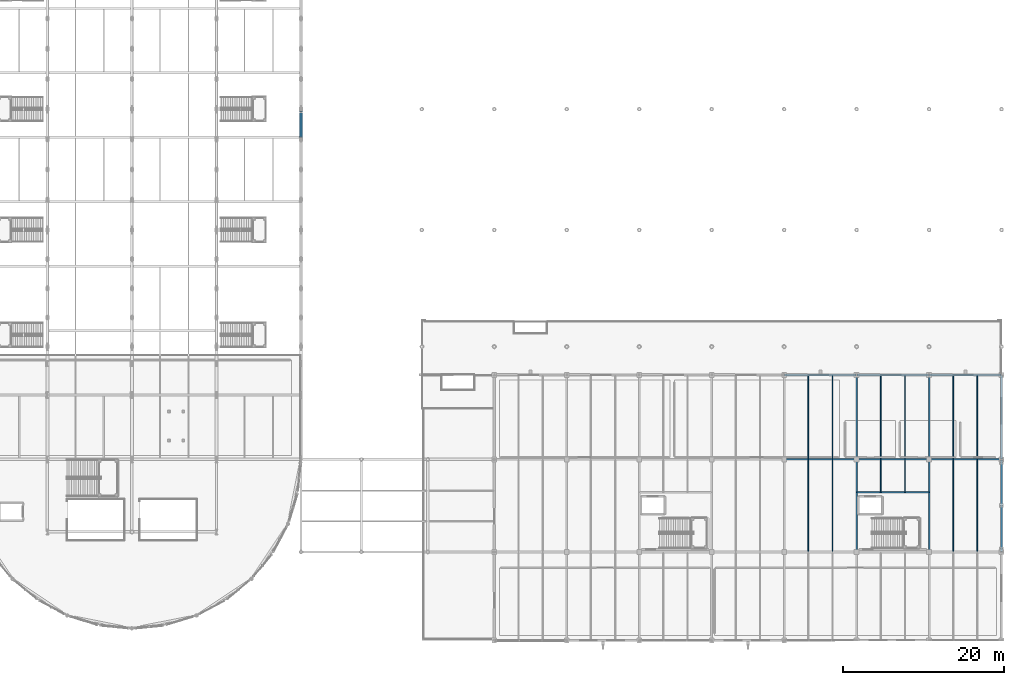
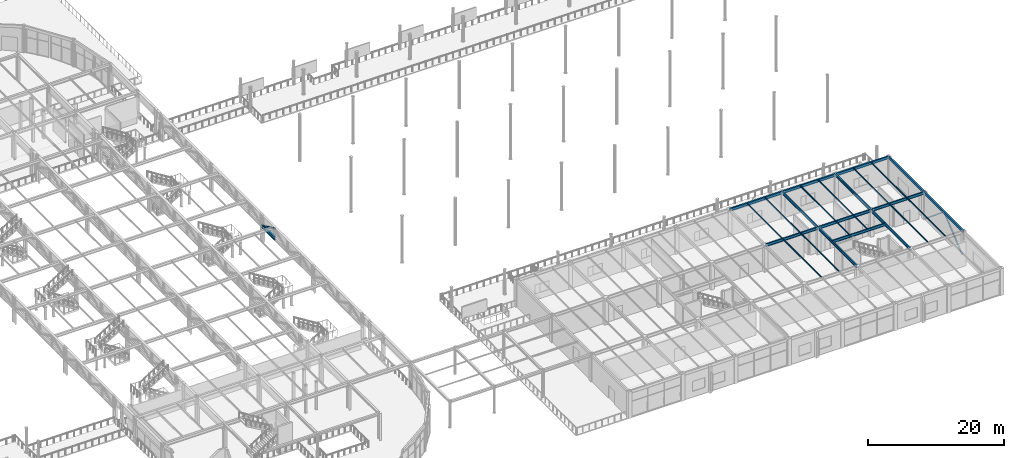
# One storey, part 63 of 143: 25 beams, 4 members.
"""IFC4 building model written with IfcOpenShell, lengths in metres."""

from ifc_helpers import new_model, si_unit, direction, frame, origin, origin_2d, place, context, subcontext, project, spatial, hollow_rectangle, hollow_circle, i_section, extrude, material, material_profile, profile_set, type_object, element, save


model = new_model("IFC4")

# Units and contexts
model_context = context("Model", 3, precision=1e-05, world=origin(), true_north=direction((0.0, 1.0)))
body_context = subcontext(model_context, "Body", "Model", "MODEL_VIEW")
ifc_project = project(units=[si_unit("LENGTHUNIT", "METRE"), si_unit("AREAUNIT", "SQUARE_METRE"), si_unit("VOLUMEUNIT", "CUBIC_METRE"), si_unit("PLANEANGLEUNIT", "RADIAN"), si_unit("MASSUNIT", "GRAM", prefix="KILO")], contexts=[model_context])

# Site, building, storey
site_placement = place(None, origin())
site = spatial("IfcSite", under=ifc_project, at=site_placement, CompositionType="ELEMENT")
building_placement = place(site_placement, origin())
building = spatial("IfcBuilding", under=site, at=building_placement, Name="Marlcrest Central Station", CompositionType="ELEMENT")
storey_placement = place(building_placement, frame((0.0, 0.0, 4.800048828125)))
storey = spatial("IfcBuildingStorey", under=building, at=storey_placement, Name="L01", CompositionType="ELEMENT", Elevation=4.800048828125)

# Members
ifc_material = material(Name="Steel S355", Category="steel")
ifc_material_profile_1 = material_profile(ifc_material, hollow_rectangle(XDim=0.199951171875, YDim=0.199951171875, WallThickness=0.010009765625, at=origin_2d()), Name="SHS 200x200x10")
ifc_profile_set_1 = profile_set([ifc_material_profile_1], Name="Steel S355")
member_type_1 = type_object("IfcMemberType", Name="BF-01", PredefinedType="BRACE", material=ifc_profile_set_1)
for number, where, z_axis, x_axis, name in (
    (1, (216.0, 11.39990234375, 0.199951171875), (0.0, 0.77128774854, 0.636486613333), (-1.0, 0.0, 0.0), "mem-BF-01-L01-00015"),
    (2, (216.0, 22.10009765625, 0.199951171875), (0.0, -0.77128774854, 0.636486613333), (1.0, 0.0, 0.0), "mem-BF-01-L01-00016"),
):
    element("IfcMember", number, at=place(storey_placement, frame(where, z_axis=z_axis, x_axis=x_axis)), inside=storey, type_object=member_type_1, Name=name, PredefinedType="BRACE", context=body_context, shape_type="SweptSolid", body=[
        extrude(hollow_rectangle(XDim=0.199951171875, YDim=0.199951171875, WallThickness=0.010009765625, at=origin_2d()), origin(), (0.0, 0.0, 1.0), 6.9365234375),
    ])

# Beams
ifc_material_profile_2 = material_profile(ifc_material, i_section(OverallWidth=0.199951171875, OverallDepth=0.5, WebThickness=0.01025390625, FlangeThickness=0.01611328125, FilletRadius=0.02099609375, at=origin_2d()), Name="IPE 500")
ifc_profile_set_2 = profile_set([ifc_material_profile_2], Name="Steel S355")
beam_type_1 = type_object("IfcBeamType", Name="BM-05", PredefinedType="BEAM", material=ifc_profile_set_2)
for number, where, z_axis, x_axis, name in (
    (3, (189.06005859375, 22.5, 4.56494140625), (1.0, 0.0, 0.0), (0.0, 1.0, 0.0), "bm-BM-05-L01-00877"),
    (4, (198.06005859375, 22.5, 4.56494140625), (1.0, 0.0, 0.0), (0.0, 1.0, 0.0), "bm-BM-05-L01-00878"),
    (5, (207.06005859375, 22.5, 4.56494140625), (1.0, 0.0, 0.0), (0.0, 1.0, 0.0), "bm-BM-05-L01-00879"),
):
    element("IfcBeam", number, at=place(storey_placement, frame(where, z_axis=z_axis, x_axis=x_axis)), inside=storey, type_object=beam_type_1, Name=name, PredefinedType="BEAM", context=body_context, shape_type="SweptSolid", body=[
        extrude(i_section(OverallWidth=0.199951171875, OverallDepth=0.5, WebThickness=0.01025390625, FlangeThickness=0.01611328125, FilletRadius=0.02099609375, at=origin_2d()), origin(), (0.0, 0.0, 1.0), 8.8798828125),
    ])
beam_1_placement = place(storey_placement, frame((198.0, 11.06005859375, 4.56494140625), z_axis=(0.0, 1.0, 0.0), x_axis=(-1.0, 0.0, 0.0)))
element("IfcBeam", 6, at=beam_1_placement, inside=storey, type_object=beam_type_1, Name="bm-BM-05-L01-00903", PredefinedType="BEAM", context=body_context, shape_type="SweptSolid", body=[
    extrude(i_section(OverallWidth=0.199951171875, OverallDepth=0.5, WebThickness=0.01025390625, FlangeThickness=0.01611328125, FilletRadius=0.02099609375, at=origin_2d()), origin(), (0.0, 0.0, 1.0), 11.3798828125),
])
beam_2_placement = place(storey_placement, frame((198.0, 22.56005859375, 4.56494140625), z_axis=(0.0, 1.0, 0.0), x_axis=(-1.0, 0.0, 0.0)))
element("IfcBeam", 7, at=beam_2_placement, inside=storey, type_object=beam_type_1, Name="bm-BM-05-L01-00904", PredefinedType="BEAM", context=body_context, shape_type="SweptSolid", body=[
    extrude(i_section(OverallWidth=0.199951171875, OverallDepth=0.5, WebThickness=0.01025390625, FlangeThickness=0.01611328125, FilletRadius=0.02099609375, at=origin_2d()), origin(), (0.0, 0.0, 1.0), 10.3798828125),
])
beam_3_placement = place(storey_placement, frame((207.0, 11.06005859375, 4.56494140625), z_axis=(0.0, 1.0, 0.0), x_axis=(-1.0, 0.0, 0.0)))
element("IfcBeam", 8, at=beam_3_placement, inside=storey, type_object=beam_type_1, Name="bm-BM-05-L01-00906", PredefinedType="BEAM", context=body_context, shape_type="SweptSolid", body=[
    extrude(i_section(OverallWidth=0.199951171875, OverallDepth=0.5, WebThickness=0.01025390625, FlangeThickness=0.01611328125, FilletRadius=0.02099609375, at=origin_2d()), origin(), (0.0, 0.0, 1.0), 11.3798828125),
])
beam_4_placement = place(storey_placement, frame((207.0, 22.56005859375, 4.56494140625), z_axis=(0.0, 1.0, 0.0), x_axis=(-1.0, 0.0, 0.0)))
element("IfcBeam", 9, at=beam_4_placement, inside=storey, type_object=beam_type_1, Name="bm-BM-05-L01-00907", PredefinedType="BEAM", context=body_context, shape_type="SweptSolid", body=[
    extrude(i_section(OverallWidth=0.199951171875, OverallDepth=0.5, WebThickness=0.01025390625, FlangeThickness=0.01611328125, FilletRadius=0.02099609375, at=origin_2d()), origin(), (0.0, 0.0, 1.0), 10.3798828125),
])
beam_5_placement = place(storey_placement, frame((198.0400390625, 18.39990234375, 4.56494140625), z_axis=(1.0, 0.0, 0.0), x_axis=(0.0, 1.0, 0.0)))
element("IfcBeam", 10, at=beam_5_placement, inside=storey, type_object=beam_type_1, Name="bm-BM-05-L01-00954", PredefinedType="BEAM", context=body_context, shape_type="SweptSolid", body=[
    extrude(i_section(OverallWidth=0.199951171875, OverallDepth=0.5, WebThickness=0.01025390625, FlangeThickness=0.01611328125, FilletRadius=0.02099609375, at=origin_2d()), origin(), (0.0, 0.0, 1.0), 8.919921875),
])
ifc_material_profile_3 = material_profile(ifc_material, i_section(OverallWidth=0.110107421875, OverallDepth=0.219970703125, WebThickness=0.005859375, FlangeThickness=0.00927734375, FilletRadius=0.011962890625, at=origin_2d()), Name="IPE 220")
ifc_profile_set_3 = profile_set([ifc_material_profile_3], Name="Steel S355")
beam_type_2 = type_object("IfcBeamType", Name="JS-02", PredefinedType="JOIST", material=ifc_profile_set_3)
beam_6_placement = place(storey_placement, frame((192.0, 11.0830078125, 4.704833984375), z_axis=(0.0, 1.0, 0.0), x_axis=(-1.0, 0.0, 0.0)))
element("IfcBeam", 11, at=beam_6_placement, inside=storey, type_object=beam_type_2, Name="bm-JS-02-L01-00936", PredefinedType="JOIST", context=body_context, shape_type="SweptSolid", body=[
    extrude(i_section(OverallWidth=0.110107421875, OverallDepth=0.219970703125, WebThickness=0.005859375, FlangeThickness=0.00927734375, FilletRadius=0.011962890625, at=origin_2d()), origin(), (0.0, 0.0, 1.0), 11.333984375),
])
beam_7_placement = place(storey_placement, frame((192.0, 22.5830078125, 4.704833984375), z_axis=(0.0, 1.0, 0.0), x_axis=(-1.0, 0.0, 0.0)))
element("IfcBeam", 12, at=beam_7_placement, inside=storey, type_object=beam_type_2, Name="bm-JS-02-L01-00937", PredefinedType="JOIST", context=body_context, shape_type="SweptSolid", body=[
    extrude(i_section(OverallWidth=0.110107421875, OverallDepth=0.219970703125, WebThickness=0.005859375, FlangeThickness=0.00927734375, FilletRadius=0.011962890625, at=origin_2d()), origin(), (0.0, 0.0, 1.0), 10.333984375),
])
beam_8_placement = place(storey_placement, frame((195.0, 11.0830078125, 4.704833984375), z_axis=(0.0, 1.0, 0.0), x_axis=(-1.0, 0.0, 0.0)))
element("IfcBeam", 13, at=beam_8_placement, inside=storey, type_object=beam_type_2, Name="bm-JS-02-L01-00939", PredefinedType="JOIST", context=body_context, shape_type="SweptSolid", body=[
    extrude(i_section(OverallWidth=0.110107421875, OverallDepth=0.219970703125, WebThickness=0.005859375, FlangeThickness=0.00927734375, FilletRadius=0.011962890625, at=origin_2d()), origin(), (0.0, 0.0, 1.0), 11.333984375),
])
beam_9_placement = place(storey_placement, frame((195.0, 22.5830078125, 4.704833984375), z_axis=(0.0, 1.0, 0.0), x_axis=(-1.0, 0.0, 0.0)))
element("IfcBeam", 14, at=beam_9_placement, inside=storey, type_object=beam_type_2, Name="bm-JS-02-L01-00940", PredefinedType="JOIST", context=body_context, shape_type="SweptSolid", body=[
    extrude(i_section(OverallWidth=0.110107421875, OverallDepth=0.219970703125, WebThickness=0.005859375, FlangeThickness=0.00927734375, FilletRadius=0.011962890625, at=origin_2d()), origin(), (0.0, 0.0, 1.0), 10.333984375),
])
beam_10_placement = place(storey_placement, frame((201.0, 18.360107421875, 4.704833984375), z_axis=(0.0, 1.0, 0.0), x_axis=(-1.0, 0.0, 0.0)))
element("IfcBeam", 15, at=beam_10_placement, inside=storey, type_object=beam_type_2, Name="bm-JS-02-L01-00942", PredefinedType="JOIST", context=body_context, shape_type="SweptSolid", body=[
    extrude(i_section(OverallWidth=0.110107421875, OverallDepth=0.219970703125, WebThickness=0.005859375, FlangeThickness=0.00927734375, FilletRadius=0.011962890625, at=origin_2d()), origin(), (0.0, 0.0, 1.0), 4.056884765625),
])
beam_11_placement = place(storey_placement, frame((201.0, 22.5830078125, 4.704833984375), z_axis=(0.0, 1.0, 0.0), x_axis=(-1.0, 0.0, 0.0)))
element("IfcBeam", 16, at=beam_11_placement, inside=storey, type_object=beam_type_2, Name="bm-JS-02-L01-00943", PredefinedType="JOIST", context=body_context, shape_type="SweptSolid", body=[
    extrude(i_section(OverallWidth=0.110107421875, OverallDepth=0.219970703125, WebThickness=0.005859375, FlangeThickness=0.00927734375, FilletRadius=0.011962890625, at=origin_2d()), origin(), (0.0, 0.0, 1.0), 10.333984375),
])
beam_12_placement = place(storey_placement, frame((204.0, 18.360107421875, 4.704833984375), z_axis=(0.0, 1.0, 0.0), x_axis=(-1.0, 0.0, 0.0)))
element("IfcBeam", 17, at=beam_12_placement, inside=storey, type_object=beam_type_2, Name="bm-JS-02-L01-00945", PredefinedType="JOIST", context=body_context, shape_type="SweptSolid", body=[
    extrude(i_section(OverallWidth=0.110107421875, OverallDepth=0.219970703125, WebThickness=0.005859375, FlangeThickness=0.00927734375, FilletRadius=0.011962890625, at=origin_2d()), origin(), (0.0, 0.0, 1.0), 4.056884765625),
])
beam_13_placement = place(storey_placement, frame((204.0, 22.5830078125, 4.704833984375), z_axis=(0.0, 1.0, 0.0), x_axis=(-1.0, 0.0, 0.0)))
element("IfcBeam", 18, at=beam_13_placement, inside=storey, type_object=beam_type_2, Name="bm-JS-02-L01-00946", PredefinedType="JOIST", context=body_context, shape_type="SweptSolid", body=[
    extrude(i_section(OverallWidth=0.110107421875, OverallDepth=0.219970703125, WebThickness=0.005859375, FlangeThickness=0.00927734375, FilletRadius=0.011962890625, at=origin_2d()), origin(), (0.0, 0.0, 1.0), 10.333984375),
])
beam_14_placement = place(storey_placement, frame((210.0, 11.0830078125, 4.704833984375), z_axis=(0.0, 1.0, 0.0), x_axis=(-1.0, 0.0, 0.0)))
element("IfcBeam", 19, at=beam_14_placement, inside=storey, type_object=beam_type_2, Name="bm-JS-02-L01-00948", PredefinedType="JOIST", context=body_context, shape_type="SweptSolid", body=[
    extrude(i_section(OverallWidth=0.110107421875, OverallDepth=0.219970703125, WebThickness=0.005859375, FlangeThickness=0.00927734375, FilletRadius=0.011962890625, at=origin_2d()), origin(), (0.0, 0.0, 1.0), 11.333984375),
])
beam_15_placement = place(storey_placement, frame((210.0, 22.5830078125, 4.704833984375), z_axis=(0.0, 1.0, 0.0), x_axis=(-1.0, 0.0, 0.0)))
element("IfcBeam", 20, at=beam_15_placement, inside=storey, type_object=beam_type_2, Name="bm-JS-02-L01-00949", PredefinedType="JOIST", context=body_context, shape_type="SweptSolid", body=[
    extrude(i_section(OverallWidth=0.110107421875, OverallDepth=0.219970703125, WebThickness=0.005859375, FlangeThickness=0.00927734375, FilletRadius=0.011962890625, at=origin_2d()), origin(), (0.0, 0.0, 1.0), 10.333984375),
])
beam_16_placement = place(storey_placement, frame((213.0, 11.0830078125, 4.704833984375), z_axis=(0.0, 1.0, 0.0), x_axis=(-1.0, 0.0, 0.0)))
element("IfcBeam", 21, at=beam_16_placement, inside=storey, type_object=beam_type_2, Name="bm-JS-02-L01-00951", PredefinedType="JOIST", context=body_context, shape_type="SweptSolid", body=[
    extrude(i_section(OverallWidth=0.110107421875, OverallDepth=0.219970703125, WebThickness=0.005859375, FlangeThickness=0.00927734375, FilletRadius=0.011962890625, at=origin_2d()), origin(), (0.0, 0.0, 1.0), 11.333984375),
])
beam_17_placement = place(storey_placement, frame((213.0, 22.5830078125, 4.704833984375), z_axis=(0.0, 1.0, 0.0), x_axis=(-1.0, 0.0, 0.0)))
element("IfcBeam", 22, at=beam_17_placement, inside=storey, type_object=beam_type_2, Name="bm-JS-02-L01-00952", PredefinedType="JOIST", context=body_context, shape_type="SweptSolid", body=[
    extrude(i_section(OverallWidth=0.110107421875, OverallDepth=0.219970703125, WebThickness=0.005859375, FlangeThickness=0.00927734375, FilletRadius=0.011962890625, at=origin_2d()), origin(), (0.0, 0.0, 1.0), 10.333984375),
])
ifc_material_profile_4 = material_profile(ifc_material, hollow_rectangle(XDim=0.25, YDim=0.449951171875, WallThickness=0.01611328125, at=origin_2d()), Name="RHS 450x250x16")
ifc_profile_set_4 = profile_set([ifc_material_profile_4], Name="Steel S355")
beam_type_3 = type_object("IfcBeamType", Name="SP-02", PredefinedType="SPANDREL", material=ifc_profile_set_4)
for number, where, z_axis, x_axis, name in (
    (23, (189.06005859375, 33.0, 4.58984375), (1.0, 0.0, 0.0), (0.0, 1.0, 0.0), "bm-SP-02-L01-00884"),
    (24, (198.06005859375, 33.0, 4.58984375), (1.0, 0.0, 0.0), (0.0, 1.0, 0.0), "bm-SP-02-L01-00885"),
    (25, (207.06005859375, 33.0, 4.58984375), (1.0, 0.0, 0.0), (0.0, 1.0, 0.0), "bm-SP-02-L01-00886"),
):
    element("IfcBeam", number, at=place(storey_placement, frame(where, z_axis=z_axis, x_axis=x_axis)), inside=storey, type_object=beam_type_3, Name=name, PredefinedType="SPANDREL", context=body_context, shape_type="SweptSolid", body=[
        extrude(hollow_rectangle(XDim=0.25, YDim=0.449951171875, WallThickness=0.01611328125, at=origin_2d()), origin(), (0.0, 0.0, 1.0), 8.8798828125),
    ])
beam_18_placement = place(storey_placement, frame((216.0, 11.06005859375, 4.58984375), z_axis=(0.0, 1.0, 0.0), x_axis=(-1.0, 0.0, 0.0)))
element("IfcBeam", 26, at=beam_18_placement, inside=storey, type_object=beam_type_3, Name="bm-SP-02-L01-00909", PredefinedType="SPANDREL", context=body_context, shape_type="SweptSolid", body=[
    extrude(hollow_rectangle(XDim=0.25, YDim=0.449951171875, WallThickness=0.01611328125, at=origin_2d()), origin(), (0.0, 0.0, 1.0), 11.3798828125),
])
beam_19_placement = place(storey_placement, frame((216.0, 22.56005859375, 4.58984375), z_axis=(0.0, 1.0, 0.0), x_axis=(-1.0, 0.0, 0.0)))
element("IfcBeam", 27, at=beam_19_placement, inside=storey, type_object=beam_type_3, Name="bm-SP-02-L01-00910", PredefinedType="SPANDREL", context=body_context, shape_type="SweptSolid", body=[
    extrude(hollow_rectangle(XDim=0.25, YDim=0.449951171875, WallThickness=0.01611328125, at=origin_2d()), origin(), (0.0, 0.0, 1.0), 10.3798828125),
])

# Members
ifc_material_profile_5 = material_profile(ifc_material, i_section(OverallWidth=0.300048828125, OverallDepth=0.64990234375, WebThickness=0.01611328125, FlangeThickness=0.031005859375, FilletRadius=0.027099609375, at=origin_2d()), Name="HEB 650")
ifc_profile_set_5 = profile_set([ifc_material_profile_5], Name="Steel S355")
member_type_2 = type_object("IfcMemberType", Name="TC-01", PredefinedType="CHORD", material=ifc_profile_set_5)
member_1_placement = place(storey_placement, frame((129.0, 62.25, 2.744873046875), z_axis=(0.0, 1.0, 0.0), x_axis=(-1.0, 0.0, 0.0)))
element("IfcMember", 28, at=member_1_placement, inside=storey, type_object=member_type_2, Name="mem-TC-01-L01-02336", PredefinedType="CHORD", context=body_context, shape_type="SweptSolid", body=[
    extrude(i_section(OverallWidth=0.300048828125, OverallDepth=0.64990234375, WebThickness=0.01611328125, FlangeThickness=0.031005859375, FilletRadius=0.027099609375, at=origin_2d()), origin(), (0.0, 0.0, 1.0), 3.75),
])
ifc_material_profile_6 = material_profile(ifc_material, hollow_circle(Radius=0.161865234375, WallThickness=0.01611328125, at=origin_2d()), Name="CHS 323.9x16")
ifc_profile_set_6 = profile_set([ifc_material_profile_6], Name="Steel S355")
member_type_3 = type_object("IfcMemberType", Name="TD-01", PredefinedType="BRACE", material=ifc_profile_set_6)
member_2_placement = place(storey_placement, frame((129.0, 62.25, 4.494873046875), z_axis=(0.0, 0.906183139995, -0.422885465331), x_axis=(-1.0, 0.0, 0.0)))
element("IfcMember", 29, at=member_2_placement, inside=storey, type_object=member_type_3, Name="mem-TD-01-L01-02338", PredefinedType="BRACE", context=body_context, shape_type="SweptSolid", body=[
    extrude(hollow_circle(Radius=0.161865234375, WallThickness=0.01611328125, at=origin_2d()), origin(), (0.0, 0.0, 1.0), 4.13818359375),
])

save(model, "model.ifc")
